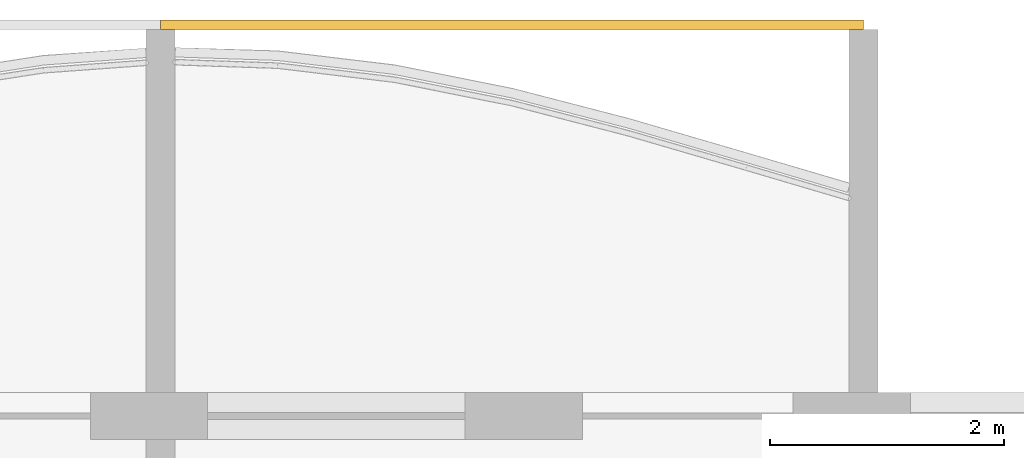
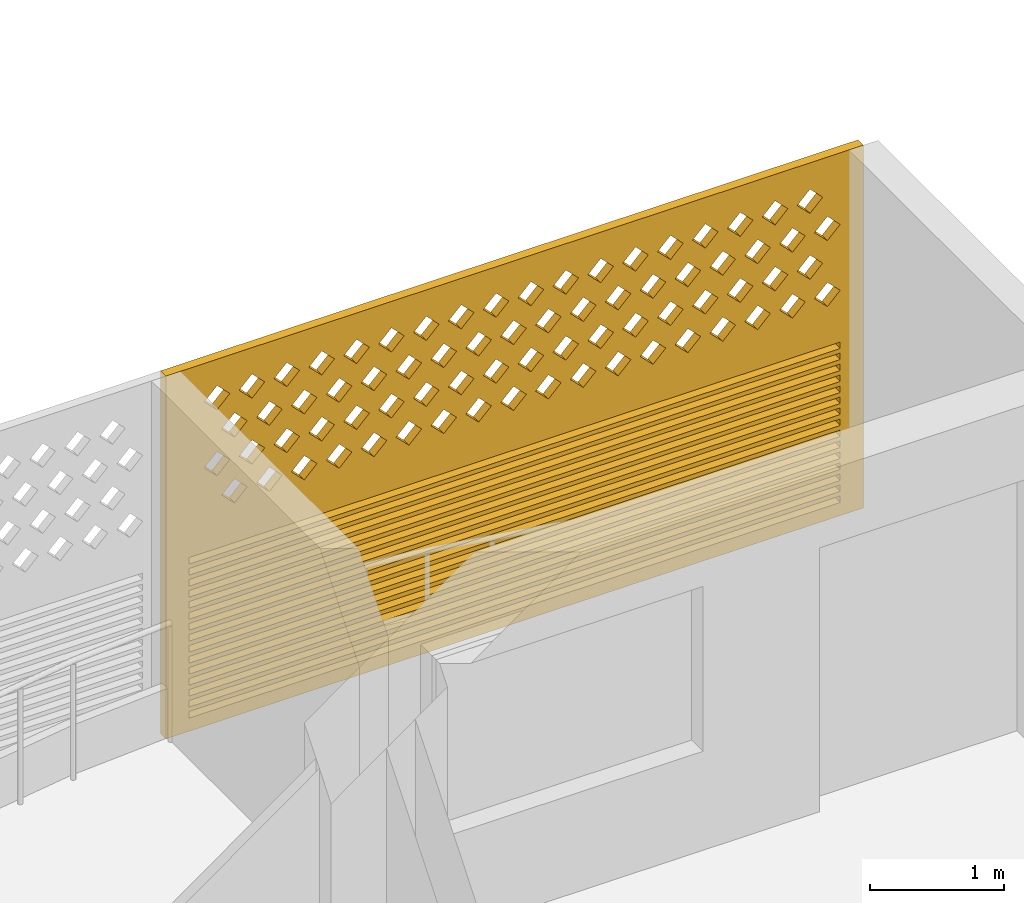
# One storey, part 23 of 29: 1 covering.
"""IFC4 building model written with IfcOpenShell, lengths in metres."""

from ifc_helpers import new_model, si_unit, direction, frame, origin, place, context, subcontext, project, spatial, polyline, outline, extrude, source, transform, mapped, material, material_profile, profile_set, type_object, element, save


model = new_model("IFC4")

# Units and contexts
model_context = context("Model", 3, precision=1e-05, world=origin(), true_north=direction((0.0, 1.0)))
body_context = subcontext(model_context, "Body", "Model", "MODEL_VIEW")
ifc_project = project(units=[si_unit("LENGTHUNIT", "METRE"), si_unit("AREAUNIT", "SQUARE_METRE"), si_unit("VOLUMEUNIT", "CUBIC_METRE"), si_unit("PLANEANGLEUNIT", "RADIAN"), si_unit("MASSUNIT", "GRAM", prefix="KILO")], contexts=[model_context])

# Site, building, storey
site_placement = place(None, origin())
site = spatial("IfcSite", under=ifc_project, at=site_placement, CompositionType="ELEMENT")
building_placement = place(site_placement, origin())
building = spatial("IfcBuilding", under=site, at=building_placement, Name="Poui Terraces", CompositionType="ELEMENT")
storey_placement = place(building_placement, frame((0.0, 0.0, 234.60009765625)))
storey = spatial("IfcBuildingStorey", under=building, at=storey_placement, Name="L65", CompositionType="ELEMENT", Elevation=234.60009765625)

# Covering
ifc_material = material(Name="Terracotta screen", Category="masonry")
ifc_material_profile = material_profile(ifc_material, outline(polyline([(-3.0, -1.64990234375), (3.0, -1.64990234375), (3.0, 1.64990234375), (-3.0, 1.64990234375), (-3.0, -1.64990234375)]), holes=[polyline([(-2.800048828125, 0.39990234375), (-2.68994140625, 0.2900390625), (-2.580078125, 0.39990234375), (-2.68994140625, 0.510009765625), (-2.800048828125, 0.39990234375)]), polyline([(-2.5, 0.39990234375), (-2.389892578125, 0.2900390625), (-2.280029296875, 0.39990234375), (-2.389892578125, 0.510009765625), (-2.5, 0.39990234375)]), polyline([(-2.199951171875, 0.39990234375), (-2.090087890625, 0.2900390625), (-1.97998046875, 0.39990234375), (-2.090087890625, 0.510009765625), (-2.199951171875, 0.39990234375)]), polyline([(-1.89990234375, 0.39990234375), (-1.7900390625, 0.2900390625), (-1.679931640625, 0.39990234375), (-1.7900390625, 0.510009765625), (-1.89990234375, 0.39990234375)]), polyline([(-1.60009765625, 0.39990234375), (-1.489990234375, 0.2900390625), (-1.3798828125, 0.39990234375), (-1.489990234375, 0.510009765625), (-1.60009765625, 0.39990234375)]), polyline([(-1.300048828125, 0.39990234375), (-1.18994140625, 0.2900390625), (-1.080078125, 0.39990234375), (-1.18994140625, 0.510009765625), (-1.300048828125, 0.39990234375)]), polyline([(-1.0, 0.39990234375), (-0.889892578125, 0.2900390625), (-0.780029296875, 0.39990234375), (-0.889892578125, 0.510009765625), (-1.0, 0.39990234375)]), polyline([(-0.699951171875, 0.39990234375), (-0.590087890625, 0.2900390625), (-0.47998046875, 0.39990234375), (-0.590087890625, 0.510009765625), (-0.699951171875, 0.39990234375)]), polyline([(-0.39990234375, 0.39990234375), (-0.2900390625, 0.2900390625), (-0.179931640625, 0.39990234375), (-0.2900390625, 0.510009765625), (-0.39990234375, 0.39990234375)]), polyline([(-0.10009765625, 0.39990234375), (0.010009765625, 0.2900390625), (0.1201171875, 0.39990234375), (0.010009765625, 0.510009765625), (-0.10009765625, 0.39990234375)]), polyline([(0.199951171875, 0.39990234375), (0.31005859375, 0.2900390625), (0.419921875, 0.39990234375), (0.31005859375, 0.510009765625), (0.199951171875, 0.39990234375)]), polyline([(0.5, 0.39990234375), (0.610107421875, 0.2900390625), (0.719970703125, 0.39990234375), (0.610107421875, 0.510009765625), (0.5, 0.39990234375)]), polyline([(0.800048828125, 0.39990234375), (0.909912109375, 0.2900390625), (1.02001953125, 0.39990234375), (0.909912109375, 0.510009765625), (0.800048828125, 0.39990234375)]), polyline([(1.10009765625, 0.39990234375), (1.2099609375, 0.2900390625), (1.320068359375, 0.39990234375), (1.2099609375, 0.510009765625), (1.10009765625, 0.39990234375)]), polyline([(1.39990234375, 0.39990234375), (1.510009765625, 0.2900390625), (1.6201171875, 0.39990234375), (1.510009765625, 0.510009765625), (1.39990234375, 0.39990234375)]), polyline([(1.699951171875, 0.39990234375), (1.81005859375, 0.2900390625), (1.919921875, 0.39990234375), (1.81005859375, 0.510009765625), (1.699951171875, 0.39990234375)]), polyline([(2.0, 0.39990234375), (2.110107421875, 0.2900390625), (2.219970703125, 0.39990234375), (2.110107421875, 0.510009765625), (2.0, 0.39990234375)]), polyline([(2.300048828125, 0.39990234375), (2.409912109375, 0.2900390625), (2.52001953125, 0.39990234375), (2.409912109375, 0.510009765625), (2.300048828125, 0.39990234375)]), polyline([(-2.64990234375, 0.699951171875), (-2.5400390625, 0.590087890625), (-2.429931640625, 0.699951171875), (-2.5400390625, 0.81005859375), (-2.64990234375, 0.699951171875)]), polyline([(-2.35009765625, 0.699951171875), (-2.239990234375, 0.590087890625), (-2.1298828125, 0.699951171875), (-2.239990234375, 0.81005859375), (-2.35009765625, 0.699951171875)]), polyline([(-2.050048828125, 0.699951171875), (-1.93994140625, 0.590087890625), (-1.830078125, 0.699951171875), (-1.93994140625, 0.81005859375), (-2.050048828125, 0.699951171875)]), polyline([(-1.75, 0.699951171875), (-1.639892578125, 0.590087890625), (-1.530029296875, 0.699951171875), (-1.639892578125, 0.81005859375), (-1.75, 0.699951171875)]), polyline([(-1.449951171875, 0.699951171875), (-1.340087890625, 0.590087890625), (-1.22998046875, 0.699951171875), (-1.340087890625, 0.81005859375), (-1.449951171875, 0.699951171875)]), polyline([(-1.14990234375, 0.699951171875), (-1.0400390625, 0.590087890625), (-0.929931640625, 0.699951171875), (-1.0400390625, 0.81005859375), (-1.14990234375, 0.699951171875)]), polyline([(-0.85009765625, 0.699951171875), (-0.739990234375, 0.590087890625), (-0.6298828125, 0.699951171875), (-0.739990234375, 0.81005859375), (-0.85009765625, 0.699951171875)]), polyline([(-0.550048828125, 0.699951171875), (-0.43994140625, 0.590087890625), (-0.330078125, 0.699951171875), (-0.43994140625, 0.81005859375), (-0.550048828125, 0.699951171875)]), polyline([(-0.25, 0.699951171875), (-0.139892578125, 0.590087890625), (-0.030029296875, 0.699951171875), (-0.139892578125, 0.81005859375), (-0.25, 0.699951171875)]), polyline([(0.050048828125, 0.699951171875), (0.159912109375, 0.590087890625), (0.27001953125, 0.699951171875), (0.159912109375, 0.81005859375), (0.050048828125, 0.699951171875)]), polyline([(0.35009765625, 0.699951171875), (0.4599609375, 0.590087890625), (0.570068359375, 0.699951171875), (0.4599609375, 0.81005859375), (0.35009765625, 0.699951171875)]), polyline([(0.64990234375, 0.699951171875), (0.760009765625, 0.590087890625), (0.8701171875, 0.699951171875), (0.760009765625, 0.81005859375), (0.64990234375, 0.699951171875)]), polyline([(0.949951171875, 0.699951171875), (1.06005859375, 0.590087890625), (1.169921875, 0.699951171875), (1.06005859375, 0.81005859375), (0.949951171875, 0.699951171875)]), polyline([(1.25, 0.699951171875), (1.360107421875, 0.590087890625), (1.469970703125, 0.699951171875), (1.360107421875, 0.81005859375), (1.25, 0.699951171875)]), polyline([(1.550048828125, 0.699951171875), (1.659912109375, 0.590087890625), (1.77001953125, 0.699951171875), (1.659912109375, 0.81005859375), (1.550048828125, 0.699951171875)]), polyline([(1.85009765625, 0.699951171875), (1.9599609375, 0.590087890625), (2.070068359375, 0.699951171875), (1.9599609375, 0.81005859375), (1.85009765625, 0.699951171875)]), polyline([(2.14990234375, 0.699951171875), (2.260009765625, 0.590087890625), (2.3701171875, 0.699951171875), (2.260009765625, 0.81005859375), (2.14990234375, 0.699951171875)]), polyline([(2.449951171875, 0.699951171875), (2.56005859375, 0.590087890625), (2.669921875, 0.699951171875), (2.56005859375, 0.81005859375), (2.449951171875, 0.699951171875)]), polyline([(-2.800048828125, 1.0), (-2.68994140625, 0.889892578125), (-2.580078125, 1.0), (-2.68994140625, 1.110107421875), (-2.800048828125, 1.0)]), polyline([(-2.5, 1.0), (-2.389892578125, 0.889892578125), (-2.280029296875, 1.0), (-2.389892578125, 1.110107421875), (-2.5, 1.0)]), polyline([(-2.199951171875, 1.0), (-2.090087890625, 0.889892578125), (-1.97998046875, 1.0), (-2.090087890625, 1.110107421875), (-2.199951171875, 1.0)]), polyline([(-1.89990234375, 1.0), (-1.7900390625, 0.889892578125), (-1.679931640625, 1.0), (-1.7900390625, 1.110107421875), (-1.89990234375, 1.0)]), polyline([(-1.60009765625, 1.0), (-1.489990234375, 0.889892578125), (-1.3798828125, 1.0), (-1.489990234375, 1.110107421875), (-1.60009765625, 1.0)]), polyline([(-1.300048828125, 1.0), (-1.18994140625, 0.889892578125), (-1.080078125, 1.0), (-1.18994140625, 1.110107421875), (-1.300048828125, 1.0)]), polyline([(-1.0, 1.0), (-0.889892578125, 0.889892578125), (-0.780029296875, 1.0), (-0.889892578125, 1.110107421875), (-1.0, 1.0)]), polyline([(-0.699951171875, 1.0), (-0.590087890625, 0.889892578125), (-0.47998046875, 1.0), (-0.590087890625, 1.110107421875), (-0.699951171875, 1.0)]), polyline([(-0.39990234375, 1.0), (-0.2900390625, 0.889892578125), (-0.179931640625, 1.0), (-0.2900390625, 1.110107421875), (-0.39990234375, 1.0)]), polyline([(-0.10009765625, 1.0), (0.010009765625, 0.889892578125), (0.1201171875, 1.0), (0.010009765625, 1.110107421875), (-0.10009765625, 1.0)]), polyline([(0.199951171875, 1.0), (0.31005859375, 0.889892578125), (0.419921875, 1.0), (0.31005859375, 1.110107421875), (0.199951171875, 1.0)]), polyline([(0.5, 1.0), (0.610107421875, 0.889892578125), (0.719970703125, 1.0), (0.610107421875, 1.110107421875), (0.5, 1.0)]), polyline([(0.800048828125, 1.0), (0.909912109375, 0.889892578125), (1.02001953125, 1.0), (0.909912109375, 1.110107421875), (0.800048828125, 1.0)]), polyline([(1.10009765625, 1.0), (1.2099609375, 0.889892578125), (1.320068359375, 1.0), (1.2099609375, 1.110107421875), (1.10009765625, 1.0)]), polyline([(1.39990234375, 1.0), (1.510009765625, 0.889892578125), (1.6201171875, 1.0), (1.510009765625, 1.110107421875), (1.39990234375, 1.0)]), polyline([(1.699951171875, 1.0), (1.81005859375, 0.889892578125), (1.919921875, 1.0), (1.81005859375, 1.110107421875), (1.699951171875, 1.0)]), polyline([(2.0, 1.0), (2.110107421875, 0.889892578125), (2.219970703125, 1.0), (2.110107421875, 1.110107421875), (2.0, 1.0)]), polyline([(2.300048828125, 1.0), (2.409912109375, 0.889892578125), (2.52001953125, 1.0), (2.409912109375, 1.110107421875), (2.300048828125, 1.0)]), polyline([(-2.64990234375, 1.300048828125), (-2.5400390625, 1.18994140625), (-2.429931640625, 1.300048828125), (-2.5400390625, 1.409912109375), (-2.64990234375, 1.300048828125)]), polyline([(-2.35009765625, 1.300048828125), (-2.239990234375, 1.18994140625), (-2.1298828125, 1.300048828125), (-2.239990234375, 1.409912109375), (-2.35009765625, 1.300048828125)]), polyline([(-2.050048828125, 1.300048828125), (-1.93994140625, 1.18994140625), (-1.830078125, 1.300048828125), (-1.93994140625, 1.409912109375), (-2.050048828125, 1.300048828125)]), polyline([(-1.75, 1.300048828125), (-1.639892578125, 1.18994140625), (-1.530029296875, 1.300048828125), (-1.639892578125, 1.409912109375), (-1.75, 1.300048828125)]), polyline([(-1.449951171875, 1.300048828125), (-1.340087890625, 1.18994140625), (-1.22998046875, 1.300048828125), (-1.340087890625, 1.409912109375), (-1.449951171875, 1.300048828125)]), polyline([(-1.14990234375, 1.300048828125), (-1.0400390625, 1.18994140625), (-0.929931640625, 1.300048828125), (-1.0400390625, 1.409912109375), (-1.14990234375, 1.300048828125)]), polyline([(-0.85009765625, 1.300048828125), (-0.739990234375, 1.18994140625), (-0.6298828125, 1.300048828125), (-0.739990234375, 1.409912109375), (-0.85009765625, 1.300048828125)]), polyline([(-0.550048828125, 1.300048828125), (-0.43994140625, 1.18994140625), (-0.330078125, 1.300048828125), (-0.43994140625, 1.409912109375), (-0.550048828125, 1.300048828125)]), polyline([(-0.25, 1.300048828125), (-0.139892578125, 1.18994140625), (-0.030029296875, 1.300048828125), (-0.139892578125, 1.409912109375), (-0.25, 1.300048828125)]), polyline([(0.050048828125, 1.300048828125), (0.159912109375, 1.18994140625), (0.27001953125, 1.300048828125), (0.159912109375, 1.409912109375), (0.050048828125, 1.300048828125)]), polyline([(0.35009765625, 1.300048828125), (0.4599609375, 1.18994140625), (0.570068359375, 1.300048828125), (0.4599609375, 1.409912109375), (0.35009765625, 1.300048828125)]), polyline([(0.64990234375, 1.300048828125), (0.760009765625, 1.18994140625), (0.8701171875, 1.300048828125), (0.760009765625, 1.409912109375), (0.64990234375, 1.300048828125)]), polyline([(0.949951171875, 1.300048828125), (1.06005859375, 1.18994140625), (1.169921875, 1.300048828125), (1.06005859375, 1.409912109375), (0.949951171875, 1.300048828125)]), polyline([(1.25, 1.300048828125), (1.360107421875, 1.18994140625), (1.469970703125, 1.300048828125), (1.360107421875, 1.409912109375), (1.25, 1.300048828125)]), polyline([(1.550048828125, 1.300048828125), (1.659912109375, 1.18994140625), (1.77001953125, 1.300048828125), (1.659912109375, 1.409912109375), (1.550048828125, 1.300048828125)]), polyline([(1.85009765625, 1.300048828125), (1.9599609375, 1.18994140625), (2.070068359375, 1.300048828125), (1.9599609375, 1.409912109375), (1.85009765625, 1.300048828125)]), polyline([(2.14990234375, 1.300048828125), (2.260009765625, 1.18994140625), (2.3701171875, 1.300048828125), (2.260009765625, 1.409912109375), (2.14990234375, 1.300048828125)]), polyline([(2.449951171875, 1.300048828125), (2.56005859375, 1.18994140625), (2.669921875, 1.300048828125), (2.56005859375, 1.409912109375), (2.449951171875, 1.300048828125)]), polyline([(-2.800048828125, -1.530029296875), (2.800048828125, -1.530029296875), (2.800048828125, -1.469970703125), (-2.800048828125, -1.469970703125), (-2.800048828125, -1.530029296875)]), polyline([(-2.800048828125, -1.429931640625), (2.800048828125, -1.429931640625), (2.800048828125, -1.3701171875), (-2.800048828125, -1.3701171875), (-2.800048828125, -1.429931640625)]), polyline([(-2.800048828125, -1.330078125), (2.800048828125, -1.330078125), (2.800048828125, -1.27001953125), (-2.800048828125, -1.27001953125), (-2.800048828125, -1.330078125)]), polyline([(-2.800048828125, -1.22998046875), (2.800048828125, -1.22998046875), (2.800048828125, -1.169921875), (-2.800048828125, -1.169921875), (-2.800048828125, -1.22998046875)]), polyline([(-2.800048828125, -1.1298828125), (2.800048828125, -1.1298828125), (2.800048828125, -1.070068359375), (-2.800048828125, -1.070068359375), (-2.800048828125, -1.1298828125)]), polyline([(-2.800048828125, -1.030029296875), (2.800048828125, -1.030029296875), (2.800048828125, -0.969970703125), (-2.800048828125, -0.969970703125), (-2.800048828125, -1.030029296875)]), polyline([(-2.800048828125, -0.929931640625), (2.800048828125, -0.929931640625), (2.800048828125, -0.8701171875), (-2.800048828125, -0.8701171875), (-2.800048828125, -0.929931640625)]), polyline([(-2.800048828125, -0.830078125), (2.800048828125, -0.830078125), (2.800048828125, -0.77001953125), (-2.800048828125, -0.77001953125), (-2.800048828125, -0.830078125)]), polyline([(-2.800048828125, -0.72998046875), (2.800048828125, -0.72998046875), (2.800048828125, -0.669921875), (-2.800048828125, -0.669921875), (-2.800048828125, -0.72998046875)]), polyline([(-2.800048828125, -0.6298828125), (2.800048828125, -0.6298828125), (2.800048828125, -0.570068359375), (-2.800048828125, -0.570068359375), (-2.800048828125, -0.6298828125)]), polyline([(-2.800048828125, -0.530029296875), (2.800048828125, -0.530029296875), (2.800048828125, -0.469970703125), (-2.800048828125, -0.469970703125), (-2.800048828125, -0.530029296875)]), polyline([(-2.800048828125, -0.429931640625), (2.800048828125, -0.429931640625), (2.800048828125, -0.3701171875), (-2.800048828125, -0.3701171875), (-2.800048828125, -0.429931640625)]), polyline([(-2.800048828125, -0.330078125), (2.800048828125, -0.330078125), (2.800048828125, -0.27001953125), (-2.800048828125, -0.27001953125), (-2.800048828125, -0.330078125)]), polyline([(-2.800048828125, -0.22998046875), (2.800048828125, -0.22998046875), (2.800048828125, -0.169921875), (-2.800048828125, -0.169921875), (-2.800048828125, -0.22998046875)]), polyline([(-2.800048828125, -0.1298828125), (2.800048828125, -0.1298828125), (2.800048828125, -0.070068359375), (-2.800048828125, -0.070068359375), (-2.800048828125, -0.1298828125)])]), Name="TERRACOTTA SCREEN AND JALOUSIE LOUVRE 6000X3300")
ifc_profile_set = profile_set([ifc_material_profile], Name="Terracotta screen")
covering_type = type_object("IfcCoveringType", Name="TERRACOTTA SCREEN AND JALOUSIE LOUVRE 6000X3300", PredefinedType="CLADDING", material=ifc_profile_set)
shared_shape = source(origin(), body_context, "Body", "SweptSolid", [
    extrude(outline(polyline([(-3.0, -1.64990234375), (3.0, -1.64990234375), (3.0, 1.64990234375), (-3.0, 1.64990234375), (-3.0, -1.64990234375)]), holes=[polyline([(-2.800048828125, 0.39990234375), (-2.68994140625, 0.2900390625), (-2.580078125, 0.39990234375), (-2.68994140625, 0.510009765625), (-2.800048828125, 0.39990234375)]), polyline([(-2.5, 0.39990234375), (-2.389892578125, 0.2900390625), (-2.280029296875, 0.39990234375), (-2.389892578125, 0.510009765625), (-2.5, 0.39990234375)]), polyline([(-2.199951171875, 0.39990234375), (-2.090087890625, 0.2900390625), (-1.97998046875, 0.39990234375), (-2.090087890625, 0.510009765625), (-2.199951171875, 0.39990234375)]), polyline([(-1.89990234375, 0.39990234375), (-1.7900390625, 0.2900390625), (-1.679931640625, 0.39990234375), (-1.7900390625, 0.510009765625), (-1.89990234375, 0.39990234375)]), polyline([(-1.60009765625, 0.39990234375), (-1.489990234375, 0.2900390625), (-1.3798828125, 0.39990234375), (-1.489990234375, 0.510009765625), (-1.60009765625, 0.39990234375)]), polyline([(-1.300048828125, 0.39990234375), (-1.18994140625, 0.2900390625), (-1.080078125, 0.39990234375), (-1.18994140625, 0.510009765625), (-1.300048828125, 0.39990234375)]), polyline([(-1.0, 0.39990234375), (-0.889892578125, 0.2900390625), (-0.780029296875, 0.39990234375), (-0.889892578125, 0.510009765625), (-1.0, 0.39990234375)]), polyline([(-0.699951171875, 0.39990234375), (-0.590087890625, 0.2900390625), (-0.47998046875, 0.39990234375), (-0.590087890625, 0.510009765625), (-0.699951171875, 0.39990234375)]), polyline([(-0.39990234375, 0.39990234375), (-0.2900390625, 0.2900390625), (-0.179931640625, 0.39990234375), (-0.2900390625, 0.510009765625), (-0.39990234375, 0.39990234375)]), polyline([(-0.10009765625, 0.39990234375), (0.010009765625, 0.2900390625), (0.1201171875, 0.39990234375), (0.010009765625, 0.510009765625), (-0.10009765625, 0.39990234375)]), polyline([(0.199951171875, 0.39990234375), (0.31005859375, 0.2900390625), (0.419921875, 0.39990234375), (0.31005859375, 0.510009765625), (0.199951171875, 0.39990234375)]), polyline([(0.5, 0.39990234375), (0.610107421875, 0.2900390625), (0.719970703125, 0.39990234375), (0.610107421875, 0.510009765625), (0.5, 0.39990234375)]), polyline([(0.800048828125, 0.39990234375), (0.909912109375, 0.2900390625), (1.02001953125, 0.39990234375), (0.909912109375, 0.510009765625), (0.800048828125, 0.39990234375)]), polyline([(1.10009765625, 0.39990234375), (1.2099609375, 0.2900390625), (1.320068359375, 0.39990234375), (1.2099609375, 0.510009765625), (1.10009765625, 0.39990234375)]), polyline([(1.39990234375, 0.39990234375), (1.510009765625, 0.2900390625), (1.6201171875, 0.39990234375), (1.510009765625, 0.510009765625), (1.39990234375, 0.39990234375)]), polyline([(1.699951171875, 0.39990234375), (1.81005859375, 0.2900390625), (1.919921875, 0.39990234375), (1.81005859375, 0.510009765625), (1.699951171875, 0.39990234375)]), polyline([(2.0, 0.39990234375), (2.110107421875, 0.2900390625), (2.219970703125, 0.39990234375), (2.110107421875, 0.510009765625), (2.0, 0.39990234375)]), polyline([(2.300048828125, 0.39990234375), (2.409912109375, 0.2900390625), (2.52001953125, 0.39990234375), (2.409912109375, 0.510009765625), (2.300048828125, 0.39990234375)]), polyline([(-2.64990234375, 0.699951171875), (-2.5400390625, 0.590087890625), (-2.429931640625, 0.699951171875), (-2.5400390625, 0.81005859375), (-2.64990234375, 0.699951171875)]), polyline([(-2.35009765625, 0.699951171875), (-2.239990234375, 0.590087890625), (-2.1298828125, 0.699951171875), (-2.239990234375, 0.81005859375), (-2.35009765625, 0.699951171875)]), polyline([(-2.050048828125, 0.699951171875), (-1.93994140625, 0.590087890625), (-1.830078125, 0.699951171875), (-1.93994140625, 0.81005859375), (-2.050048828125, 0.699951171875)]), polyline([(-1.75, 0.699951171875), (-1.639892578125, 0.590087890625), (-1.530029296875, 0.699951171875), (-1.639892578125, 0.81005859375), (-1.75, 0.699951171875)]), polyline([(-1.449951171875, 0.699951171875), (-1.340087890625, 0.590087890625), (-1.22998046875, 0.699951171875), (-1.340087890625, 0.81005859375), (-1.449951171875, 0.699951171875)]), polyline([(-1.14990234375, 0.699951171875), (-1.0400390625, 0.590087890625), (-0.929931640625, 0.699951171875), (-1.0400390625, 0.81005859375), (-1.14990234375, 0.699951171875)]), polyline([(-0.85009765625, 0.699951171875), (-0.739990234375, 0.590087890625), (-0.6298828125, 0.699951171875), (-0.739990234375, 0.81005859375), (-0.85009765625, 0.699951171875)]), polyline([(-0.550048828125, 0.699951171875), (-0.43994140625, 0.590087890625), (-0.330078125, 0.699951171875), (-0.43994140625, 0.81005859375), (-0.550048828125, 0.699951171875)]), polyline([(-0.25, 0.699951171875), (-0.139892578125, 0.590087890625), (-0.030029296875, 0.699951171875), (-0.139892578125, 0.81005859375), (-0.25, 0.699951171875)]), polyline([(0.050048828125, 0.699951171875), (0.159912109375, 0.590087890625), (0.27001953125, 0.699951171875), (0.159912109375, 0.81005859375), (0.050048828125, 0.699951171875)]), polyline([(0.35009765625, 0.699951171875), (0.4599609375, 0.590087890625), (0.570068359375, 0.699951171875), (0.4599609375, 0.81005859375), (0.35009765625, 0.699951171875)]), polyline([(0.64990234375, 0.699951171875), (0.760009765625, 0.590087890625), (0.8701171875, 0.699951171875), (0.760009765625, 0.81005859375), (0.64990234375, 0.699951171875)]), polyline([(0.949951171875, 0.699951171875), (1.06005859375, 0.590087890625), (1.169921875, 0.699951171875), (1.06005859375, 0.81005859375), (0.949951171875, 0.699951171875)]), polyline([(1.25, 0.699951171875), (1.360107421875, 0.590087890625), (1.469970703125, 0.699951171875), (1.360107421875, 0.81005859375), (1.25, 0.699951171875)]), polyline([(1.550048828125, 0.699951171875), (1.659912109375, 0.590087890625), (1.77001953125, 0.699951171875), (1.659912109375, 0.81005859375), (1.550048828125, 0.699951171875)]), polyline([(1.85009765625, 0.699951171875), (1.9599609375, 0.590087890625), (2.070068359375, 0.699951171875), (1.9599609375, 0.81005859375), (1.85009765625, 0.699951171875)]), polyline([(2.14990234375, 0.699951171875), (2.260009765625, 0.590087890625), (2.3701171875, 0.699951171875), (2.260009765625, 0.81005859375), (2.14990234375, 0.699951171875)]), polyline([(2.449951171875, 0.699951171875), (2.56005859375, 0.590087890625), (2.669921875, 0.699951171875), (2.56005859375, 0.81005859375), (2.449951171875, 0.699951171875)]), polyline([(-2.800048828125, 1.0), (-2.68994140625, 0.889892578125), (-2.580078125, 1.0), (-2.68994140625, 1.110107421875), (-2.800048828125, 1.0)]), polyline([(-2.5, 1.0), (-2.389892578125, 0.889892578125), (-2.280029296875, 1.0), (-2.389892578125, 1.110107421875), (-2.5, 1.0)]), polyline([(-2.199951171875, 1.0), (-2.090087890625, 0.889892578125), (-1.97998046875, 1.0), (-2.090087890625, 1.110107421875), (-2.199951171875, 1.0)]), polyline([(-1.89990234375, 1.0), (-1.7900390625, 0.889892578125), (-1.679931640625, 1.0), (-1.7900390625, 1.110107421875), (-1.89990234375, 1.0)]), polyline([(-1.60009765625, 1.0), (-1.489990234375, 0.889892578125), (-1.3798828125, 1.0), (-1.489990234375, 1.110107421875), (-1.60009765625, 1.0)]), polyline([(-1.300048828125, 1.0), (-1.18994140625, 0.889892578125), (-1.080078125, 1.0), (-1.18994140625, 1.110107421875), (-1.300048828125, 1.0)]), polyline([(-1.0, 1.0), (-0.889892578125, 0.889892578125), (-0.780029296875, 1.0), (-0.889892578125, 1.110107421875), (-1.0, 1.0)]), polyline([(-0.699951171875, 1.0), (-0.590087890625, 0.889892578125), (-0.47998046875, 1.0), (-0.590087890625, 1.110107421875), (-0.699951171875, 1.0)]), polyline([(-0.39990234375, 1.0), (-0.2900390625, 0.889892578125), (-0.179931640625, 1.0), (-0.2900390625, 1.110107421875), (-0.39990234375, 1.0)]), polyline([(-0.10009765625, 1.0), (0.010009765625, 0.889892578125), (0.1201171875, 1.0), (0.010009765625, 1.110107421875), (-0.10009765625, 1.0)]), polyline([(0.199951171875, 1.0), (0.31005859375, 0.889892578125), (0.419921875, 1.0), (0.31005859375, 1.110107421875), (0.199951171875, 1.0)]), polyline([(0.5, 1.0), (0.610107421875, 0.889892578125), (0.719970703125, 1.0), (0.610107421875, 1.110107421875), (0.5, 1.0)]), polyline([(0.800048828125, 1.0), (0.909912109375, 0.889892578125), (1.02001953125, 1.0), (0.909912109375, 1.110107421875), (0.800048828125, 1.0)]), polyline([(1.10009765625, 1.0), (1.2099609375, 0.889892578125), (1.320068359375, 1.0), (1.2099609375, 1.110107421875), (1.10009765625, 1.0)]), polyline([(1.39990234375, 1.0), (1.510009765625, 0.889892578125), (1.6201171875, 1.0), (1.510009765625, 1.110107421875), (1.39990234375, 1.0)]), polyline([(1.699951171875, 1.0), (1.81005859375, 0.889892578125), (1.919921875, 1.0), (1.81005859375, 1.110107421875), (1.699951171875, 1.0)]), polyline([(2.0, 1.0), (2.110107421875, 0.889892578125), (2.219970703125, 1.0), (2.110107421875, 1.110107421875), (2.0, 1.0)]), polyline([(2.300048828125, 1.0), (2.409912109375, 0.889892578125), (2.52001953125, 1.0), (2.409912109375, 1.110107421875), (2.300048828125, 1.0)]), polyline([(-2.64990234375, 1.300048828125), (-2.5400390625, 1.18994140625), (-2.429931640625, 1.300048828125), (-2.5400390625, 1.409912109375), (-2.64990234375, 1.300048828125)]), polyline([(-2.35009765625, 1.300048828125), (-2.239990234375, 1.18994140625), (-2.1298828125, 1.300048828125), (-2.239990234375, 1.409912109375), (-2.35009765625, 1.300048828125)]), polyline([(-2.050048828125, 1.300048828125), (-1.93994140625, 1.18994140625), (-1.830078125, 1.300048828125), (-1.93994140625, 1.409912109375), (-2.050048828125, 1.300048828125)]), polyline([(-1.75, 1.300048828125), (-1.639892578125, 1.18994140625), (-1.530029296875, 1.300048828125), (-1.639892578125, 1.409912109375), (-1.75, 1.300048828125)]), polyline([(-1.449951171875, 1.300048828125), (-1.340087890625, 1.18994140625), (-1.22998046875, 1.300048828125), (-1.340087890625, 1.409912109375), (-1.449951171875, 1.300048828125)]), polyline([(-1.14990234375, 1.300048828125), (-1.0400390625, 1.18994140625), (-0.929931640625, 1.300048828125), (-1.0400390625, 1.409912109375), (-1.14990234375, 1.300048828125)]), polyline([(-0.85009765625, 1.300048828125), (-0.739990234375, 1.18994140625), (-0.6298828125, 1.300048828125), (-0.739990234375, 1.409912109375), (-0.85009765625, 1.300048828125)]), polyline([(-0.550048828125, 1.300048828125), (-0.43994140625, 1.18994140625), (-0.330078125, 1.300048828125), (-0.43994140625, 1.409912109375), (-0.550048828125, 1.300048828125)]), polyline([(-0.25, 1.300048828125), (-0.139892578125, 1.18994140625), (-0.030029296875, 1.300048828125), (-0.139892578125, 1.409912109375), (-0.25, 1.300048828125)]), polyline([(0.050048828125, 1.300048828125), (0.159912109375, 1.18994140625), (0.27001953125, 1.300048828125), (0.159912109375, 1.409912109375), (0.050048828125, 1.300048828125)]), polyline([(0.35009765625, 1.300048828125), (0.4599609375, 1.18994140625), (0.570068359375, 1.300048828125), (0.4599609375, 1.409912109375), (0.35009765625, 1.300048828125)]), polyline([(0.64990234375, 1.300048828125), (0.760009765625, 1.18994140625), (0.8701171875, 1.300048828125), (0.760009765625, 1.409912109375), (0.64990234375, 1.300048828125)]), polyline([(0.949951171875, 1.300048828125), (1.06005859375, 1.18994140625), (1.169921875, 1.300048828125), (1.06005859375, 1.409912109375), (0.949951171875, 1.300048828125)]), polyline([(1.25, 1.300048828125), (1.360107421875, 1.18994140625), (1.469970703125, 1.300048828125), (1.360107421875, 1.409912109375), (1.25, 1.300048828125)]), polyline([(1.550048828125, 1.300048828125), (1.659912109375, 1.18994140625), (1.77001953125, 1.300048828125), (1.659912109375, 1.409912109375), (1.550048828125, 1.300048828125)]), polyline([(1.85009765625, 1.300048828125), (1.9599609375, 1.18994140625), (2.070068359375, 1.300048828125), (1.9599609375, 1.409912109375), (1.85009765625, 1.300048828125)]), polyline([(2.14990234375, 1.300048828125), (2.260009765625, 1.18994140625), (2.3701171875, 1.300048828125), (2.260009765625, 1.409912109375), (2.14990234375, 1.300048828125)]), polyline([(2.449951171875, 1.300048828125), (2.56005859375, 1.18994140625), (2.669921875, 1.300048828125), (2.56005859375, 1.409912109375), (2.449951171875, 1.300048828125)]), polyline([(-2.800048828125, -1.530029296875), (2.800048828125, -1.530029296875), (2.800048828125, -1.469970703125), (-2.800048828125, -1.469970703125), (-2.800048828125, -1.530029296875)]), polyline([(-2.800048828125, -1.429931640625), (2.800048828125, -1.429931640625), (2.800048828125, -1.3701171875), (-2.800048828125, -1.3701171875), (-2.800048828125, -1.429931640625)]), polyline([(-2.800048828125, -1.330078125), (2.800048828125, -1.330078125), (2.800048828125, -1.27001953125), (-2.800048828125, -1.27001953125), (-2.800048828125, -1.330078125)]), polyline([(-2.800048828125, -1.22998046875), (2.800048828125, -1.22998046875), (2.800048828125, -1.169921875), (-2.800048828125, -1.169921875), (-2.800048828125, -1.22998046875)]), polyline([(-2.800048828125, -1.1298828125), (2.800048828125, -1.1298828125), (2.800048828125, -1.070068359375), (-2.800048828125, -1.070068359375), (-2.800048828125, -1.1298828125)]), polyline([(-2.800048828125, -1.030029296875), (2.800048828125, -1.030029296875), (2.800048828125, -0.969970703125), (-2.800048828125, -0.969970703125), (-2.800048828125, -1.030029296875)]), polyline([(-2.800048828125, -0.929931640625), (2.800048828125, -0.929931640625), (2.800048828125, -0.8701171875), (-2.800048828125, -0.8701171875), (-2.800048828125, -0.929931640625)]), polyline([(-2.800048828125, -0.830078125), (2.800048828125, -0.830078125), (2.800048828125, -0.77001953125), (-2.800048828125, -0.77001953125), (-2.800048828125, -0.830078125)]), polyline([(-2.800048828125, -0.72998046875), (2.800048828125, -0.72998046875), (2.800048828125, -0.669921875), (-2.800048828125, -0.669921875), (-2.800048828125, -0.72998046875)]), polyline([(-2.800048828125, -0.6298828125), (2.800048828125, -0.6298828125), (2.800048828125, -0.570068359375), (-2.800048828125, -0.570068359375), (-2.800048828125, -0.6298828125)]), polyline([(-2.800048828125, -0.530029296875), (2.800048828125, -0.530029296875), (2.800048828125, -0.469970703125), (-2.800048828125, -0.469970703125), (-2.800048828125, -0.530029296875)]), polyline([(-2.800048828125, -0.429931640625), (2.800048828125, -0.429931640625), (2.800048828125, -0.3701171875), (-2.800048828125, -0.3701171875), (-2.800048828125, -0.429931640625)]), polyline([(-2.800048828125, -0.330078125), (2.800048828125, -0.330078125), (2.800048828125, -0.27001953125), (-2.800048828125, -0.27001953125), (-2.800048828125, -0.330078125)]), polyline([(-2.800048828125, -0.22998046875), (2.800048828125, -0.22998046875), (2.800048828125, -0.169921875), (-2.800048828125, -0.169921875), (-2.800048828125, -0.22998046875)]), polyline([(-2.800048828125, -0.1298828125), (2.800048828125, -0.1298828125), (2.800048828125, -0.070068359375), (-2.800048828125, -0.070068359375), (-2.800048828125, -0.1298828125)])]), origin(), (0.0, 0.0, 1.0), 0.080078125),
])
covering_placement = place(storey_placement, frame((51.0, 44.5, 1.449951171875), z_axis=(0.0, 1.0, 0.0), x_axis=(-1.0, 0.0, 0.0)))
element("IfcCovering", 1, at=covering_placement, inside=storey, type_object=covering_type, Name="SOLAR SCREEN AND JALOUSIE LOUVRE", PredefinedType="CLADDING", context=body_context, shape_type="MappedRepresentation", body=[
    mapped(shared_shape, transform((0.0, 0.0, 0.0))),
])

save(model, "model.ifc")
